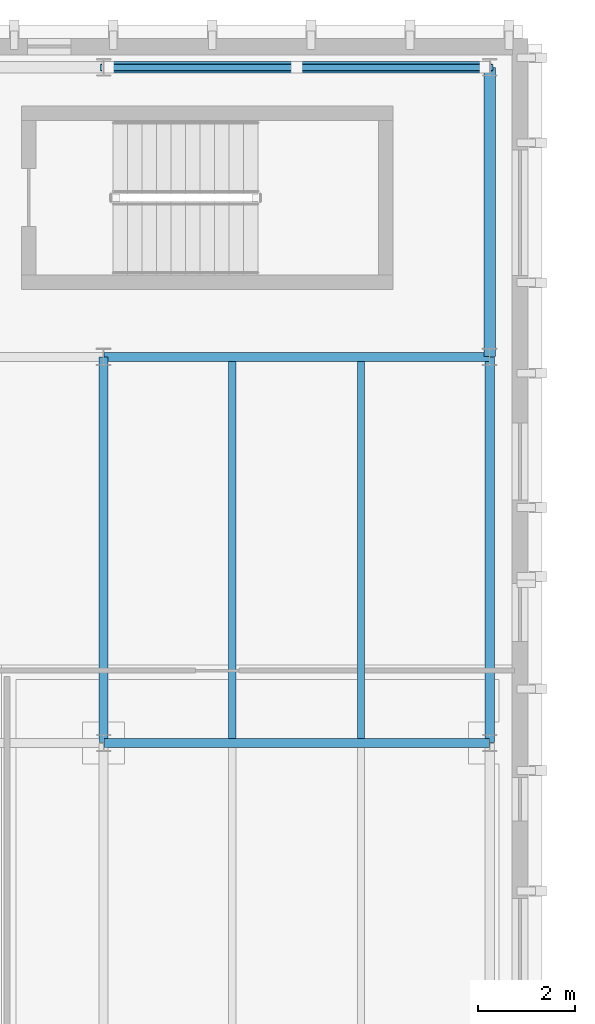
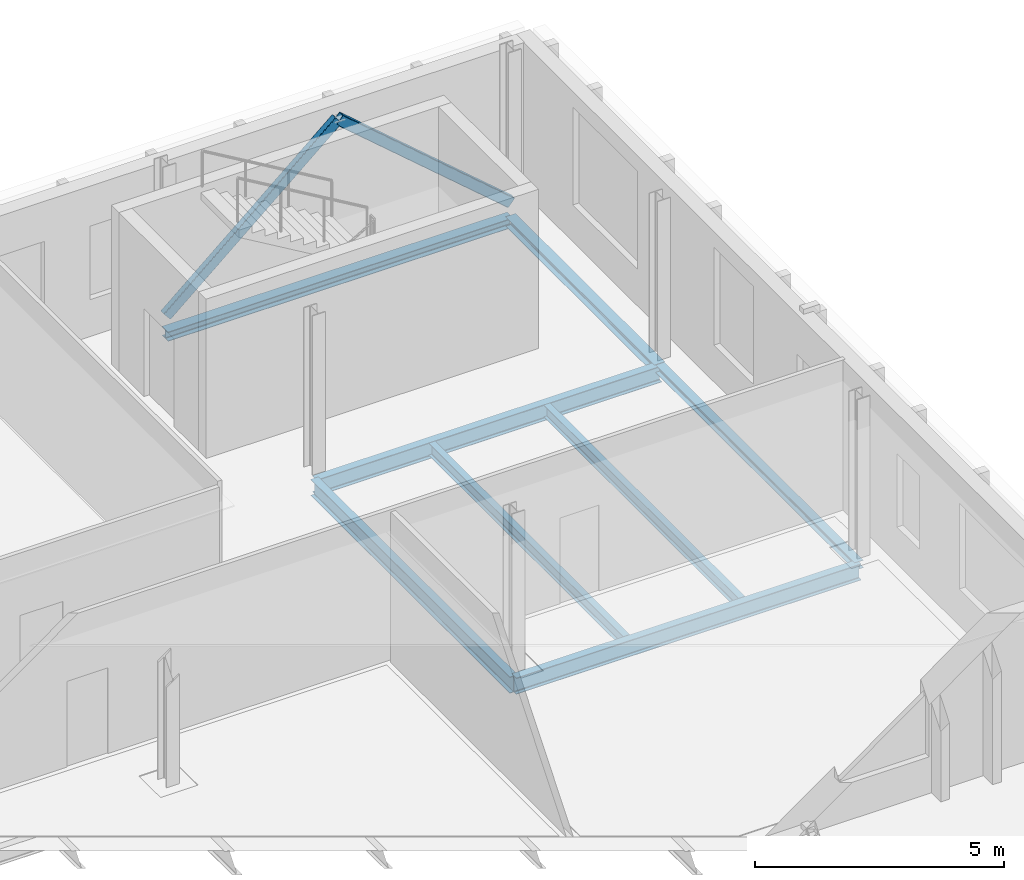
# One storey, part 11 of 43: 8 beams, 2 members.
"""IFC4 building model written with IfcOpenShell, lengths in metres."""

from ifc_helpers import new_model, si_unit, direction, frame, origin, origin_2d, place, context, subcontext, project, spatial, hollow_rectangle, i_section, extrude, material, material_profile, profile_set, type_object, element, save


model = new_model("IFC4")

# Units and contexts
model_context = context("Model", 3, precision=1e-05, world=origin(), true_north=direction((0.0, 1.0)))
body_context = subcontext(model_context, "Body", "Model", "MODEL_VIEW")
ifc_project = project(units=[si_unit("LENGTHUNIT", "METRE"), si_unit("AREAUNIT", "SQUARE_METRE"), si_unit("VOLUMEUNIT", "CUBIC_METRE"), si_unit("PLANEANGLEUNIT", "RADIAN"), si_unit("MASSUNIT", "GRAM", prefix="KILO")], contexts=[model_context])

# Site, building, storey
site_placement = place(None, origin())
site = spatial("IfcSite", under=ifc_project, at=site_placement, CompositionType="ELEMENT")
building_placement = place(site_placement, origin())
building = spatial("IfcBuilding", under=site, at=building_placement, Name="Cymarion Research Institute", CompositionType="ELEMENT")
storey_placement = place(building_placement, frame((0.0, 0.0, 22.800048828125)))
storey = spatial("IfcBuildingStorey", under=building, at=storey_placement, Name="L05", CompositionType="ELEMENT", Elevation=22.800048828125)

# Beams
ifc_material = material(Name="Steel S355", Category="steel")
ifc_material_profile_1 = material_profile(ifc_material, i_section(OverallWidth=0.179931640625, OverallDepth=0.39990234375, WebThickness=0.008544921875, FlangeThickness=0.013427734375, FilletRadius=0.02099609375, at=origin_2d()), Name="IPE 400")
ifc_profile_set_1 = profile_set([ifc_material_profile_1], Name="Steel S355")
beam_type_1 = type_object("IfcBeamType", Name="PRIMARY GIRDER BM05 IPE 400", PredefinedType="BEAM", material=ifc_profile_set_1)
for number, where, z_axis, x_axis, name in (
    (1, (38.60595703125, 101.5, -0.420166015625), (1.0, 0.0, 0.0), (0.0, 1.0, 0.0), "L05 V5 girder BM05 #1981"),
    (2, (38.60595703125, 109.5, -0.420166015625), (1.0, 0.0, 0.0), (0.0, 1.0, 0.0), "L05 V5 girder BM05 #1986"),
):
    element("IfcBeam", number, at=place(storey_placement, frame(where, z_axis=z_axis, x_axis=x_axis)), inside=storey, type_object=beam_type_1, Name=name, PredefinedType="BEAM", context=body_context, shape_type="SweptSolid", body=[
        extrude(i_section(OverallWidth=0.179931640625, OverallDepth=0.39990234375, WebThickness=0.008544921875, FlangeThickness=0.013427734375, FilletRadius=0.02099609375, at=origin_2d()), origin(), (0.0, 0.0, 1.0), 7.988037109375),
    ])
beam_1_placement = place(storey_placement, frame((38.60009765625, 101.506103515625, -0.420166015625), z_axis=(0.0, 1.0, 0.0), x_axis=(-1.0, 0.0, 0.0)))
element("IfcBeam", 3, at=beam_1_placement, inside=storey, type_object=beam_type_1, Name="L05 V5 girder BM05 #2008", PredefinedType="BEAM", context=body_context, shape_type="SweptSolid", body=[
    extrude(i_section(OverallWidth=0.179931640625, OverallDepth=0.39990234375, WebThickness=0.008544921875, FlangeThickness=0.013427734375, FilletRadius=0.02099609375, at=origin_2d()), origin(), (0.0, 0.0, 1.0), 7.98779296875),
])
ifc_material_profile_2 = material_profile(ifc_material, i_section(OverallWidth=0.14990234375, OverallDepth=0.300048828125, WebThickness=0.007080078125, FlangeThickness=0.0107421875, FilletRadius=0.014892578125, at=origin_2d()), Name="IPE 300")
ifc_profile_set_2 = profile_set([ifc_material_profile_2], Name="Steel S355")
beam_type_2 = type_object("IfcBeamType", Name="SECONDARY JOIST JS02 IPE 300", PredefinedType="JOIST", material=ifc_profile_set_2)
for number, where, z_axis, x_axis, name in (
    (4, (41.2666015625, 101.593994140625, -0.3701171875), (0.0, 1.0, 0.0), (-1.0, 0.0, 0.0), "L05 V5 secondary joist JS02 #2030"),
    (5, (43.933349609375, 101.593994140625, -0.3701171875), (0.0, 1.0, 0.0), (-1.0, 0.0, 0.0), "L05 V5 secondary joist JS02 #2031"),
):
    element("IfcBeam", number, at=place(storey_placement, frame(where, z_axis=z_axis, x_axis=x_axis)), inside=storey, type_object=beam_type_2, Name=name, PredefinedType="JOIST", context=body_context, shape_type="SweptSolid", body=[
        extrude(i_section(OverallWidth=0.14990234375, OverallDepth=0.300048828125, WebThickness=0.007080078125, FlangeThickness=0.0107421875, FilletRadius=0.014892578125, at=origin_2d()), origin(), (0.0, 0.0, 1.0), 7.81201171875),
    ])
ifc_material_profile_3 = material_profile(ifc_material, i_section(OverallWidth=0.239990234375, OverallDepth=0.22998046875, WebThickness=0.007568359375, FlangeThickness=0.011962890625, FilletRadius=0.02099609375, at=origin_2d()), Name="HEA 240")
ifc_profile_set_3 = profile_set([ifc_material_profile_3], Name="Steel S355")
beam_type_3 = type_object("IfcBeamType", Name="SPANDREL BEAM SPB03 HEA 240", PredefinedType="SPANDREL", material=ifc_profile_set_3)
beam_2_placement = place(storey_placement, frame((38.60595703125, 115.5, -0.3349609375), z_axis=(1.0, 0.0, 0.0), x_axis=(0.0, 1.0, 0.0)))
element("IfcBeam", 6, at=beam_2_placement, inside=storey, type_object=beam_type_3, Name="L05 V5 girder SPB03 #1991", PredefinedType="SPANDREL", context=body_context, shape_type="SweptSolid", body=[
    extrude(i_section(OverallWidth=0.239990234375, OverallDepth=0.22998046875, WebThickness=0.007568359375, FlangeThickness=0.011962890625, FilletRadius=0.02099609375, at=origin_2d()), origin(), (0.0, 0.0, 1.0), 7.988037109375),
])
beam_3_placement = place(storey_placement, frame((46.60009765625, 109.506103515625, -0.3349609375), z_axis=(0.0, 1.0, 0.0), x_axis=(-1.0, 0.0, 0.0)))
element("IfcBeam", 7, at=beam_3_placement, inside=storey, type_object=beam_type_3, Name="L05 V5 girder SPB03 #2011", PredefinedType="SPANDREL", context=body_context, shape_type="SweptSolid", body=[
    extrude(i_section(OverallWidth=0.239990234375, OverallDepth=0.22998046875, WebThickness=0.007568359375, FlangeThickness=0.011962890625, FilletRadius=0.02099609375, at=origin_2d()), origin(), (0.0, 0.0, 1.0), 5.98779296875),
])
ifc_material_profile_4 = material_profile(ifc_material, i_section(OverallWidth=0.199951171875, OverallDepth=0.18994140625, WebThickness=0.006591796875, FlangeThickness=0.010009765625, FilletRadius=0.01806640625, at=origin_2d()), Name="HEA 200")
ifc_profile_set_4 = profile_set([ifc_material_profile_4], Name="Steel S355")
beam_type_4 = type_object("IfcBeamType", Name="SPANDREL BEAM SPB04 HEA 200", PredefinedType="SPANDREL", material=ifc_profile_set_4)
beam_4_placement = place(storey_placement, frame((46.60009765625, 101.506103515625, -0.31494140625), z_axis=(0.0, 1.0, 0.0), x_axis=(-1.0, 0.0, 0.0)))
element("IfcBeam", 8, at=beam_4_placement, inside=storey, type_object=beam_type_4, Name="L05 V5 girder SPB04 #2010", PredefinedType="SPANDREL", context=body_context, shape_type="SweptSolid", body=[
    extrude(i_section(OverallWidth=0.199951171875, OverallDepth=0.18994140625, WebThickness=0.006591796875, FlangeThickness=0.010009765625, FilletRadius=0.01806640625, at=origin_2d()), origin(), (0.0, 0.0, 1.0), 7.98779296875),
])

# Members
ifc_material_profile_5 = material_profile(ifc_material, hollow_rectangle(XDim=0.14990234375, YDim=0.25, WallThickness=0.010009765625, InnerFilletRadius=0.014892578125, OuterFilletRadius=0.02490234375, at=origin_2d()), Name="RHS 250x150x10")
ifc_profile_set_5 = profile_set([ifc_material_profile_5], Name="Steel S355")
member_type = type_object("IfcMemberType", Name="STRUCTURAL MEMBER BR09 RHS 250x150x10", PredefinedType="BRACE", material=ifc_profile_set_5)
for number, where, z_axis, x_axis, name in (
    (9, (38.615234375, 115.5, 0.119873046875), (0.758194400065, 0.0, 0.652028566637), (0.0, 1.0, 0.0), "L05 V5 seismic chevron brace BR09 #1"),
    (10, (46.584716796875, 115.5, 0.119873046875), (-0.758194400065, 0.0, 0.652028566637), (0.0, -1.0, 0.0), "L05 V5 seismic chevron brace BR09 #2"),
):
    element("IfcMember", number, at=place(storey_placement, frame(where, z_axis=z_axis, x_axis=x_axis)), inside=storey, type_object=member_type, Name=name, PredefinedType="BRACE", context=body_context, shape_type="SweptSolid", body=[
        extrude(hollow_rectangle(XDim=0.14990234375, YDim=0.25, WallThickness=0.010009765625, InnerFilletRadius=0.014892578125, OuterFilletRadius=0.02490234375, at=origin_2d()), origin(), (0.0, 0.0, 1.0), 5.245361328125),
    ])

save(model, "model.ifc")
